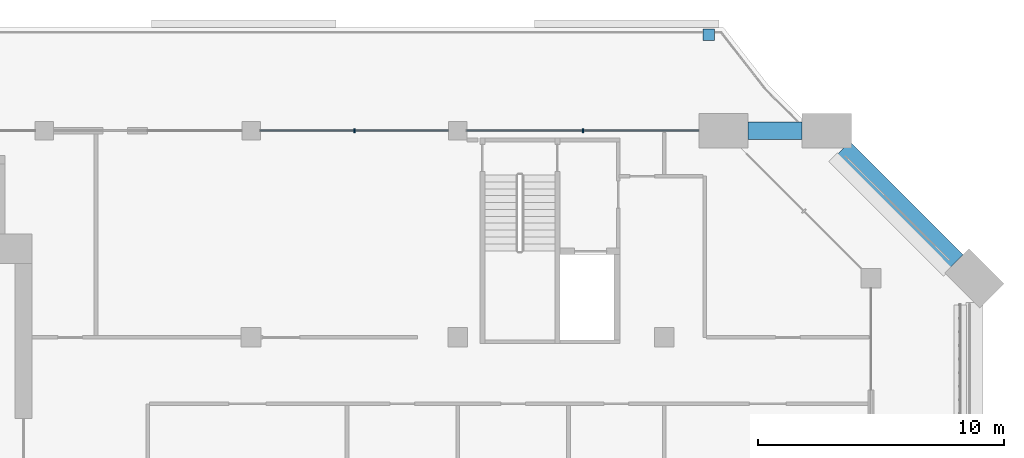
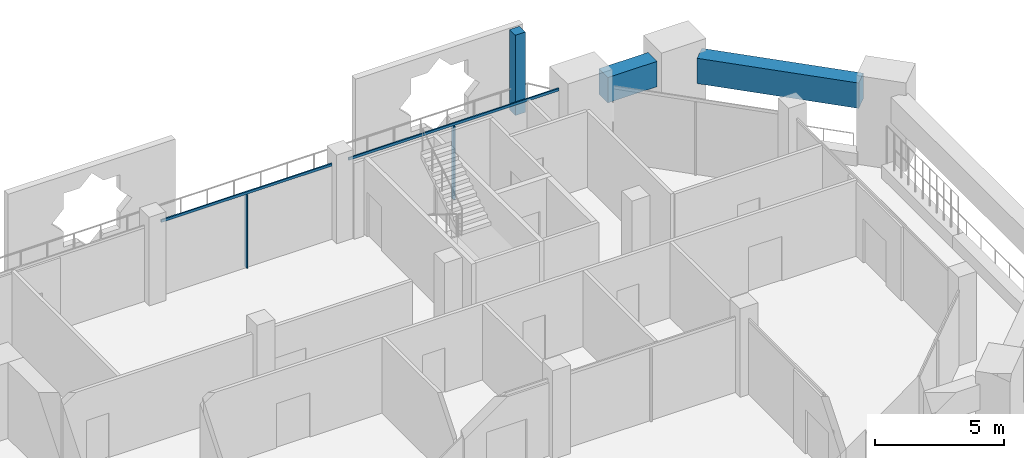
# One storey, part 8 of 20: 5 members, 2 beams, 2 elements without a shape of their own.
"""IFC4 building model written with IfcOpenShell, lengths in metres."""

from ifc_helpers import new_model, si_unit, direction, frame, origin, origin_2d, place, context, subcontext, project, spatial, rectangle, extrude, material, layer, layer_set, material_profile, profile_set, type_object, element, aggregate, save


model = new_model("IFC4")

# Units and contexts
model_context = context("Model", 3, precision=1e-05, world=origin(), true_north=direction((0.0, 1.0)))
body_context = subcontext(model_context, "Body", "Model", "MODEL_VIEW")
ifc_project = project(units=[si_unit("LENGTHUNIT", "METRE"), si_unit("AREAUNIT", "SQUARE_METRE"), si_unit("VOLUMEUNIT", "CUBIC_METRE"), si_unit("PLANEANGLEUNIT", "RADIAN"), si_unit("MASSUNIT", "GRAM", prefix="KILO")], contexts=[model_context])

# Site, building, storey
site_placement = place(None, origin())
site = spatial("IfcSite", under=ifc_project, at=site_placement, CompositionType="ELEMENT")
building_placement = place(site_placement, origin())
building = spatial("IfcBuilding", under=site, at=building_placement, Name="Kawkab Arch Medical Tower", CompositionType="ELEMENT")
storey_placement = place(building_placement, frame((0.0, 0.0, 277.60009765625)))
storey = spatial("IfcBuildingStorey", under=building, at=storey_placement, Name="L64", CompositionType="ELEMENT", Elevation=277.60009765625)

# Curtain wall, members
ifc_material_1 = material(Name="Bronze anodised aluminium curtain wall frame", Category="aluminium")
ifc_layer_1 = layer(ifc_material_1, 0.159912109375)
ifc_layer_set_1 = layer_set([ifc_layer_1], Name="Bronze anodised aluminium curtain wall frame")
curtain_wall_type_1 = type_object("IfcCurtainWallType", Name="CW1 ward curtain wall", PredefinedType="NOTDEFINED", material=ifc_layer_set_1)
placement = place(storey_placement, origin())
curtain_wall_1 = element("IfcCurtainWall", 1, at=placement, inside=storey, type_object=curtain_wall_type_1, Name="CW1 Ward curtain wall R10", PredefinedType="NOTDEFINED")
ifc_material_2 = material(Name="Bronze anodised aluminium curtain wall frame", Category="aluminium")
ifc_material_profile_1 = material_profile(ifc_material_2, rectangle(XDim=0.179931640625, YDim=0.06005859375, at=origin_2d()), Name="AL 60x180")
ifc_profile_set_1 = profile_set([ifc_material_profile_1], Name="Bronze anodised aluminium curtain wall frame")
member_type_1 = type_object("IfcMemberType", Name="CW1 mullion 60 x 180", PredefinedType="MULLION", material=ifc_profile_set_1)
member_1_placement = place(storey_placement, frame((47.08740234375, 0.0, 0.0), z_axis=(0.0, 0.0, 1.0), x_axis=(0.0, -1.0, 0.0)))
member_1 = element("IfcMember", 2, at=member_1_placement, type_object=member_type_1, Name="CW1 mullion 1.1", PredefinedType="MULLION", context=body_context, shape_type="SweptSolid", body=[
    extrude(rectangle(XDim=0.179931640625, YDim=0.06005859375, at=origin_2d()), origin(), (0.0, 0.0, 1.0), 3.47998046875),
])
member_2_placement = place(storey_placement, frame((37.800048828125, 0.0, 0.0), z_axis=(0.0, 0.0, 1.0), x_axis=(0.0, -1.0, 0.0)))
member_2 = element("IfcMember", 3, at=member_2_placement, type_object=member_type_1, Name="CW1 mullion 2.1", PredefinedType="MULLION", context=body_context, shape_type="SweptSolid", body=[
    extrude(rectangle(XDim=0.179931640625, YDim=0.06005859375, at=origin_2d()), origin(), (0.0, 0.0, 1.0), 3.47998046875),
])
ifc_material_3 = material(Name="Bronze anodised aluminium curtain wall frame", Category="aluminium")
ifc_material_profile_2 = material_profile(ifc_material_3, rectangle(XDim=0.06005859375, YDim=0.1201171875, at=origin_2d()), Name="AL 60x120")
ifc_profile_set_2 = profile_set([ifc_material_profile_2], Name="Bronze anodised aluminium curtain wall frame")
member_type_2 = type_object("IfcMemberType", Name="CW1 transom 120 x 60", PredefinedType="USERDEFINED", material=ifc_profile_set_2)
member_3_placement = place(storey_placement, frame((51.800048828125, 0.0, 3.539794921875), z_axis=(-1.0, 0.0, 0.0), x_axis=(0.0, -1.0, 0.0)))
member_3 = element("IfcMember", 4, at=member_3_placement, type_object=member_type_2, Name="CW1 transom 1", ObjectType="TRANSOM", PredefinedType="USERDEFINED", context=body_context, shape_type="SweptSolid", body=[
    extrude(rectangle(XDim=0.06005859375, YDim=0.1201171875, at=origin_2d()), origin(), (0.0, 0.0, 1.0), 9.425048828125),
])
member_4_placement = place(storey_placement, frame((41.625, 0.0, 3.539794921875), z_axis=(-1.0, 0.0, 0.0), x_axis=(0.0, -1.0, 0.0)))
member_4 = element("IfcMember", 5, at=member_4_placement, type_object=member_type_2, Name="CW1 transom 2", ObjectType="TRANSOM", PredefinedType="USERDEFINED", context=body_context, shape_type="SweptSolid", body=[
    extrude(rectangle(XDim=0.06005859375, YDim=0.1201171875, at=origin_2d()), origin(), (0.0, 0.0, 1.0), 7.64990234375),
])
aggregate(curtain_wall_1, [member_3, member_1, member_4, member_2])

# Curtain wall, member
ifc_material_4 = material(Name="Bronze anodised aluminium climber frame, planted", Category="aluminium")
ifc_layer_2 = layer(ifc_material_4, 0.449951171875)
ifc_layer_set_2 = layer_set([ifc_layer_2], Name="Bronze anodised aluminium climber frame, planted")
curtain_wall_type_2 = type_object("IfcCurtainWallType", Name="Planted climber frame", PredefinedType="NOTDEFINED", material=ifc_layer_set_2)
curtain_wall_2 = element("IfcCurtainWall", 6, at=placement, inside=storey, type_object=curtain_wall_type_2, Name="Planted climber frame L64", PredefinedType="NOTDEFINED")
ifc_material_5 = material(Name="Bronze anodised aluminium climber frame, planted", Category="aluminium")
ifc_material_profile_3 = material_profile(ifc_material_5, rectangle(XDim=0.449951171875, YDim=0.449951171875, at=origin_2d()), Name="Post 450x450")
ifc_profile_set_3 = profile_set([ifc_material_profile_3], Name="Bronze anodised aluminium climber frame, planted")
member_type_3 = type_object("IfcMemberType", Name="Planted climber post 450 x 450", PredefinedType="MULLION", material=ifc_profile_set_3)
member_5_placement = place(storey_placement, frame((52.202880859375, 3.89990234375, 0.0), z_axis=(0.0, 0.0, 1.0), x_axis=(1.0, 0.0, 0.0)))
member_5 = element("IfcMember", 7, at=member_5_placement, type_object=member_type_3, Name="Planted climber post L64.LOG-01-01.6", PredefinedType="MULLION", context=body_context, shape_type="SweptSolid", body=[
    extrude(rectangle(XDim=0.449951171875, YDim=0.449951171875, at=origin_2d()), origin(), (0.0, 0.0, 1.0), 3.7998046875),
])
aggregate(curtain_wall_2, [member_5])

# Beams
ifc_material_6 = material(Name="Concrete C40/50", Category="concrete")
ifc_material_profile_4 = material_profile(ifc_material_6, rectangle(XDim=0.699951171875, YDim=1.199951171875, at=origin_2d()), Name="RC 700x1200")
ifc_profile_set_4 = profile_set([ifc_material_profile_4], Name="Concrete C40/50")
beam_type = type_object("IfcBeamType", Name="RC 700x1200 beam C40/50", PredefinedType="BEAM", material=ifc_profile_set_4)
beam_1_placement = place(storey_placement, frame((53.800048828125, 0.0, 3.0), z_axis=(1.0, 0.0, 0.0), x_axis=(0.0, 1.0, 0.0)))
element("IfcBeam", 8, at=beam_1_placement, inside=storey, type_object=beam_type, Name="Terrace frame beam TF-L64-2-L65-01", PredefinedType="BEAM", context=body_context, shape_type="SweptSolid", body=[
    extrude(rectangle(XDim=0.699951171875, YDim=1.199951171875, at=origin_2d()), origin(), (0.0, 0.0, 1.0), 2.199951171875),
])
beam_2_placement = place(storey_placement, frame((57.699951171875, -0.699951171875, 3.0), z_axis=(0.707106781187, -0.707106781187, 0.0), x_axis=(0.707106781187, 0.707106781187, 0.0)))
element("IfcBeam", 9, at=beam_2_placement, inside=storey, type_object=beam_type, Name="Terrace frame beam TF-L64-2-L65-02", PredefinedType="BEAM", context=body_context, shape_type="SweptSolid", body=[
    extrude(rectangle(XDim=0.699951171875, YDim=1.199951171875, at=origin_2d()), origin(), (0.0, 0.0, 1.0), 6.49560546875),
])

save(model, "model.ifc")
